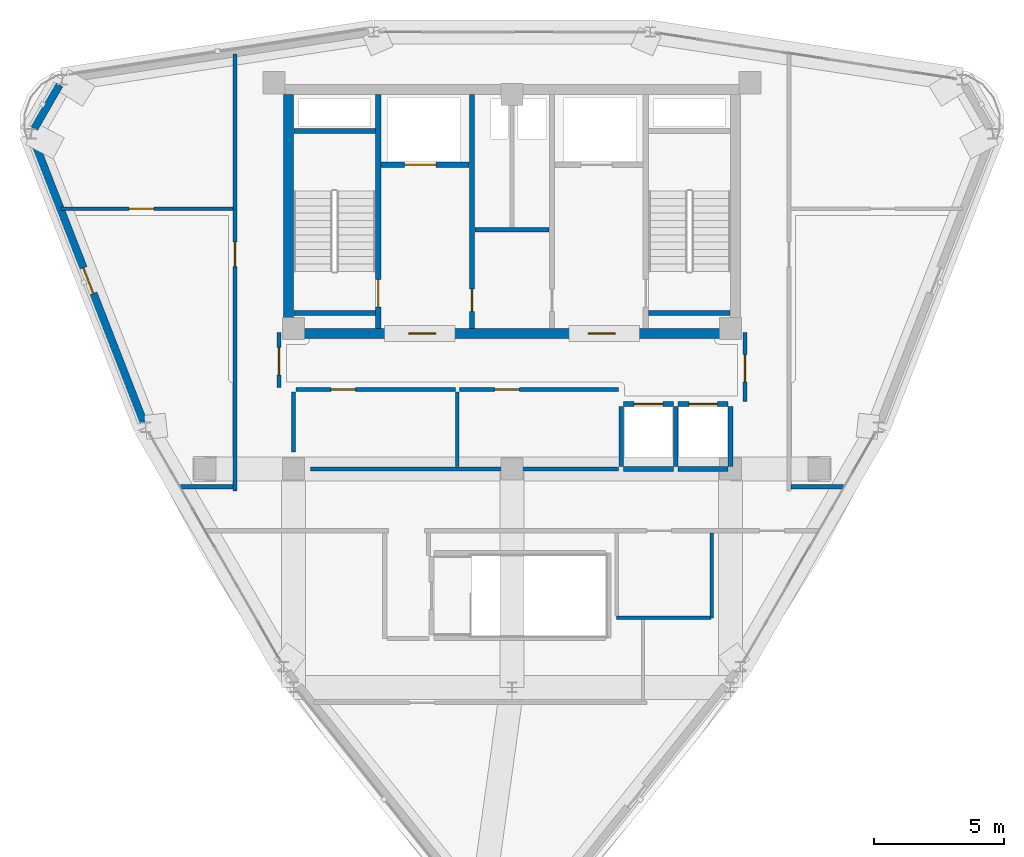
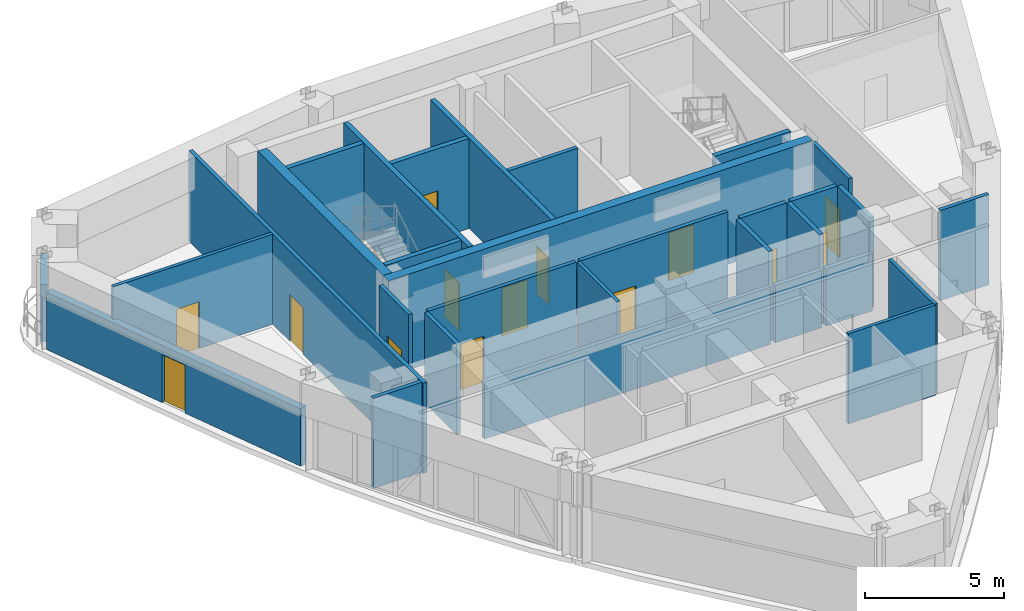
# One storey, part 13 of 16: 31 walls, 14 doors, 14 openings.
"""IFC4 building model written with IfcOpenShell, lengths in metres."""

import ifcopenshell
import ifcopenshell.guid

model = None  # the IFC model being written
_history = None  # IfcOwnerHistory: only IFC2X3 demands one
_inside = {}  # id of a spatial element -> (the spatial element, [elements in it])
_under = {}  # id of a project, library or spatial element -> (it, [spatial elements below it])
_declared = {}  # id of a project -> (the project, [libraries it declares])
_typed = {}  # id of a type object -> (the type object, [elements of that type])
_made_of = {}  # id of a material, layer set ... -> (it, [elements and type objects made of it])


def new_model(schema):
    """Start an empty IFC model of exactly this schema.

    Asked for "IFC4X3", IfcOpenShell would pick the latest addendum, in which some entities
    have other attributes; the version numbers below select the first issue.
    IFC2X3 requires an IfcOwnerHistory on every rooted entity: one is made here for all.
    """
    global model, _history
    if schema == "IFC4X3":
        model = ifcopenshell.file(schema_version=(4, 3, 0, 0))
    else:
        model = ifcopenshell.file(schema=schema)
    _inside.clear()
    _under.clear()
    _declared.clear()
    _typed.clear()
    _made_of.clear()
    _history = None
    if model.schema == "IFC2X3":
        org = make("IfcOrganization", Name="unknown")
        user = make(
            "IfcPersonAndOrganization",
            ThePerson=make("IfcPerson", FamilyName="unknown"),
            TheOrganization=org,
        )
        app = make(
            "IfcApplication",
            ApplicationDeveloper=org,
            Version="unknown",
            ApplicationFullName="unknown",
            ApplicationIdentifier="unknown",
        )
        _history = make(
            "IfcOwnerHistory",
            OwningUser=user,
            OwningApplication=app,
            ChangeAction="ADDED",
            CreationDate=0,
        )
    return model


def make(cls, **values):
    """One entity of the class cls with the attributes given. An attribute that is None is left unset."""
    return model.create_entity(
        cls, **{name: value for name, value in values.items() if value is not None}
    )


def rooted(cls, **values):
    """An entity with a GlobalId (a new one), such as an element, a storey or a relation."""
    return make(cls, GlobalId=ifcopenshell.guid.new(), OwnerHistory=_history, **values)


def si_unit(unit_type, name, prefix=None):
    """IfcSIUnit, for example si_unit("LENGTHUNIT", "METRE", prefix="MILLI")."""
    return make("IfcSIUnit", UnitType=unit_type, Prefix=prefix, Name=name)


def derived_unit(unit_type, elements):
    """IfcDerivedUnit: a product of units, each with its exponent."""
    return make(
        "IfcDerivedUnit",
        Elements=[
            make("IfcDerivedUnitElement", Unit=unit, Exponent=power)
            for unit, power in elements
        ],
        UnitType=unit_type,
    )


def assignment(units):
    """IfcUnitAssignment: the units of a project."""
    return None if units is None else make("IfcUnitAssignment", Units=units)


def point(xyz):
    """IfcCartesianPoint."""
    return None if xyz is None else make("IfcCartesianPoint", Coordinates=xyz)


def direction(xyz):
    """IfcDirection."""
    return None if xyz is None else make("IfcDirection", DirectionRatios=xyz)


def frame(location, z_axis=None, x_axis=None):
    """IfcAxis2Placement3D, a coordinate frame: its origin and axes. An axis left out is left unset."""
    return make(
        "IfcAxis2Placement3D",
        Location=point(location),
        Axis=direction(z_axis),
        RefDirection=direction(x_axis),
    )


def frame_2d(location, x_axis=None):
    """IfcAxis2Placement2D, a coordinate frame in the plane: its origin and x axis."""
    return make(
        "IfcAxis2Placement2D", Location=point(location), RefDirection=direction(x_axis)
    )


def origin():
    """The frame at (0, 0, 0) with its axes left unset."""
    return frame((0.0, 0.0, 0.0))


def place(relative_to, where):
    """IfcLocalPlacement: puts the frame where relative to a parent placement (None: the world)."""
    return make(
        "IfcLocalPlacement", PlacementRelTo=relative_to, RelativePlacement=where
    )


def context(
    kind, dimensions, precision=None, world=None, true_north=None, identifier=None
):
    """IfcGeometricRepresentationContext, for example the 3D "Model" context."""
    return make(
        "IfcGeometricRepresentationContext",
        ContextIdentifier=identifier,
        ContextType=kind,
        CoordinateSpaceDimension=dimensions,
        Precision=precision,
        WorldCoordinateSystem=world,
        TrueNorth=true_north,
    )


def subcontext(parent, identifier, kind, view, scale=None):
    """IfcGeometricRepresentationSubContext, for example "Body" below "Model"."""
    return make(
        "IfcGeometricRepresentationSubContext",
        ContextIdentifier=identifier,
        ContextType=kind,
        ParentContext=parent,
        TargetScale=scale,
        TargetView=view,
    )


def project(units=None, contexts=None):
    """IfcProject with its units and contexts."""
    return rooted(
        "IfcProject",
        Name="project",
        RepresentationContexts=contexts,
        UnitsInContext=assignment(units),
    )


def spatial(cls, under=None, at=None, **own):
    """A site, building, storey or space (cls), placed at a placement, below another one or the project."""
    s = rooted(cls, ObjectPlacement=at, **own)
    if under is not None:
        _under.setdefault(under.id(), (under, []))[1].append(s)
    return s


def profile(cls, at=None, kind="AREA", **sizes):
    """A parametric profile (cls). Its sizes go by their IFC names, for example OverallWidth=200.0."""
    return make(cls, ProfileType=kind, Position=at, **sizes)


def rectangle(**sizes):
    """IfcRectangleProfileDef."""
    return profile("IfcRectangleProfileDef", **sizes)


def extrude(swept, where, along, depth):
    """IfcExtrudedAreaSolid: the profile swept, set in the frame where, extruded along a direction by depth."""
    return make(
        "IfcExtrudedAreaSolid",
        SweptArea=swept,
        Position=where,
        ExtrudedDirection=direction(along),
        Depth=depth,
    )


def shape(context_of_items, identifier, shape_type, items):
    """IfcShapeRepresentation: the items that make up one representation, for example the "Body"."""
    return make(
        "IfcShapeRepresentation",
        ContextOfItems=context_of_items,
        RepresentationIdentifier=identifier,
        RepresentationType=shape_type,
        Items=items,
    )


def material(Name=None, Category=None):
    """IfcMaterial."""
    return make("IfcMaterial", Name=Name, Category=Category)


def layer(
    of_material, thickness, ventilated=None, Name=None, Category=None, Priority=None
):
    """IfcMaterialLayer: one layer of a wall or slab, of a material (None: an air gap)."""
    return make(
        "IfcMaterialLayer",
        Material=of_material,
        LayerThickness=thickness,
        IsVentilated=ventilated,
        Name=Name,
        Category=Category,
        Priority=Priority,
    )


def layer_set(layers, Name=None):
    """IfcMaterialLayerSet."""
    return make("IfcMaterialLayerSet", MaterialLayers=layers, LayerSetName=Name)


def made_of(thing, what):
    """Note that an element or type object is made of a material, layer set ...; save() writes the relation."""
    if what is not None:
        _made_of.setdefault(what.id(), (what, []))[1].append(thing)
    return thing


def type_object(cls, material=None, **own):
    """A type object (cls), such as IfcWallType, which elements share."""
    return made_of(rooted(cls, **own), material)


def element(
    cls,
    number,
    at=None,
    inside=None,
    cuts=None,
    type_object=None,
    material=None,
    context=None,
    identifier="Body",
    shape_type=None,
    held_by="IfcProductDefinitionShape",
    body=None,
    shapes=None,
    **own,
):
    """One element of the class cls, such as IfcWall. Its Tag is "e" and its number.

    at: its placement. inside: the storey or other place that contains it. cuts: it is an
    opening in that element (IfcRelVoidsElement). A single representation is given by context,
    identifier, shape_type and body (its items); several are given by shapes. held_by: the class
    of the entity that holds the representations. save() writes the other relations.
    """
    e = rooted(cls, Tag="e%d" % number, ObjectPlacement=at, **own)
    if body is not None:
        shapes = [shape(context, identifier, shape_type, body)]
    if shapes is not None:
        e.Representation = make(held_by, Representations=shapes)
    if inside is not None:
        _inside.setdefault(inside.id(), (inside, []))[1].append(e)
    if cuts is not None:
        rooted(
            "IfcRelVoidsElement", RelatingBuildingElement=cuts, RelatedOpeningElement=e
        )
    if type_object is not None:
        _typed.setdefault(type_object.id(), (type_object, []))[1].append(e)
    return made_of(e, material)


def fill(opening, filler):
    """IfcRelFillsElement: the door or window that sits in an opening."""
    return rooted(
        "IfcRelFillsElement",
        RelatingOpeningElement=opening,
        RelatedBuildingElement=filler,
    )


def aggregate(whole, parts):
    """IfcRelAggregates: a whole, such as a stair, and the parts it consists of."""
    return rooted("IfcRelAggregates", RelatingObject=whole, RelatedObjects=parts)


def save(model, path):
    """Write the relations noted so far, then the file.

    IfcRelAggregates (storeys below a building ...), IfcRelContainedInSpatialStructure (elements
    in a storey), IfcRelDefinesByType, IfcRelAssociatesMaterial and IfcRelDeclares: one each for
    every whole, place, type object, material and project.
    """
    for whole, parts in _under.values():
        aggregate(whole, parts)
    for where, things in _inside.values():
        rooted(
            "IfcRelContainedInSpatialStructure",
            RelatedElements=things,
            RelatingStructure=where,
        )
    for kind, things in _typed.values():
        rooted("IfcRelDefinesByType", RelatedObjects=things, RelatingType=kind)
    for what, things in _made_of.values():
        rooted("IfcRelAssociatesMaterial", RelatedObjects=things, RelatingMaterial=what)
    for by, libraries in _declared.values():
        rooted("IfcRelDeclares", RelatingContext=by, RelatedDefinitions=libraries)
    model.write(path)


model = new_model("IFC4")

# Units and contexts
model_context = context("Model", 3, precision=1e-05, world=origin(), true_north=direction((0.0, 1.0)))
body_context = subcontext(model_context, "Body", "Model", "MODEL_VIEW")
ifc_project = project(units=[si_unit("LENGTHUNIT", "METRE"), si_unit("AREAUNIT", "SQUARE_METRE"), si_unit("VOLUMEUNIT", "CUBIC_METRE"), si_unit("PLANEANGLEUNIT", "RADIAN"), si_unit("MASSUNIT", "GRAM", prefix="KILO"), derived_unit("THERMALTRANSMITTANCEUNIT", [(si_unit("POWERUNIT", "WATT"), 1), (si_unit("LENGTHUNIT", "METRE"), -2), (si_unit("THERMODYNAMICTEMPERATUREUNIT", "KELVIN"), -1)])], contexts=[model_context])

# Site, building, storey
site_placement = place(None, origin())
site = spatial("IfcSite", under=ifc_project, at=site_placement, CompositionType="ELEMENT")
building_placement = place(site_placement, origin())
building = spatial("IfcBuilding", under=site, at=building_placement, Name="Korsvarv Bourse and Concert Hall", CompositionType="ELEMENT")
storey_placement = place(building_placement, frame((0.0, 0.0, 288.0)))
storey = spatial("IfcBuildingStorey", under=building, at=storey_placement, Name="L75", CompositionType="ELEMENT", Elevation=288.0)

# Wall, openings, doors
ifc_material_1 = material(Name="Concrete C50/60", Category="concrete")
ifc_layer_1 = layer(ifc_material_1, 0.3798828125)
ifc_layer_set_1 = layer_set([ifc_layer_1], Name="Concrete C50/60")
wall_type_1 = type_object("IfcWallType", Name="WL-CORE-380", PredefinedType="SHEAR", material=ifc_layer_set_1)
wall_1_placement = place(storey_placement, frame((27.219970703125, 37.610107421875, 0.0), z_axis=(0.0, 0.0, 1.0), x_axis=(1.0, 0.0, 0.0)))
wall_1 = element("IfcWall", 1, at=wall_1_placement, inside=storey, type_object=wall_type_1, Name="L75 South Core Shear Wall", PredefinedType="SHEAR", context=body_context, shape_type="SweptSolid", body=[
    extrude(rectangle(XDim=17.56005859375, YDim=0.3798828125, at=frame_2d((8.780029296875, 0.0))), origin(), (0.0, 0.0, 1.0), 4.199951171875),
])
opening_1_placement = place(wall_1_placement, frame((4.804931640625, 0.0, 0.0)))
opening_1 = element("IfcOpeningElement", 2, at=opening_1_placement, cuts=wall_1, Name="Opening D-01", PredefinedType="OPENING", context=body_context, shape_type="SweptSolid", body=[
    extrude(rectangle(XDim=1.050048828125, YDim=2.10009765625, at=frame_2d((0.52490234375, 1.050048828125))), frame((0.0, 0.199951171875, 0.0), z_axis=(0.0, -1.0, 0.0), x_axis=(1.0, 0.0, 0.0)), (0.0, 0.0, 1.0), 0.39990234375),
])
opening_2_placement = place(wall_1_placement, frame((11.705078125, 0.0, 0.0)))
opening_2 = element("IfcOpeningElement", 3, at=opening_2_placement, cuts=wall_1, Name="Opening D-01", PredefinedType="OPENING", context=body_context, shape_type="SweptSolid", body=[
    extrude(rectangle(XDim=1.050048828125, YDim=2.10009765625, at=frame_2d((0.52490234375, 1.050048828125))), frame((0.0, 0.199951171875, 0.0), z_axis=(0.0, -1.0, 0.0), x_axis=(1.0, 0.0, 0.0)), (0.0, 0.0, 1.0), 0.39990234375),
])
ifc_material_2 = material(Name="Steel S355 fire door", Category="steel")
door_type_1 = type_object("IfcDoorType", Name="DR-FD60", OperationType="NOTDEFINED", PredefinedType="DOOR", material=ifc_material_2)
door_1_placement = place(opening_1_placement, frame((1.050048828125, 0.0, 0.0), z_axis=(0.0, 0.0, 1.0), x_axis=(-1.0, 0.0, 0.0)))
door_1 = element("IfcDoor", 4, at=door_1_placement, inside=storey, type_object=door_type_1, Name="L75 firefighting lobby fire door DR-L75-FFLW", OperationType="SINGLE_SWING_LEFT", OverallHeight=2.10009765625, OverallWidth=1.050048828125, PredefinedType="DOOR", context=body_context, shape_type="SweptSolid", body=[
    extrude(rectangle(XDim=1.050048828125, YDim=2.10009765625, at=frame_2d((0.52490234375, 1.050048828125))), frame((0.0, 0.02490234375, 0.0), z_axis=(0.0, -1.0, 0.0), x_axis=(1.0, 0.0, 0.0)), (0.0, 0.0, 1.0), 0.050048828125),
])
fill(opening_1, door_1)
door_2_placement = place(opening_2_placement, frame((1.050048828125, 0.0, 0.0), z_axis=(0.0, 0.0, 1.0), x_axis=(-1.0, 0.0, 0.0)))
door_2 = element("IfcDoor", 5, at=door_2_placement, inside=storey, type_object=door_type_1, Name="L75 firefighting lobby fire door DR-L75-FFLE", OperationType="SINGLE_SWING_RIGHT", OverallHeight=2.10009765625, OverallWidth=1.050048828125, PredefinedType="DOOR", context=body_context, shape_type="SweptSolid", body=[
    extrude(rectangle(XDim=1.050048828125, YDim=2.10009765625, at=frame_2d((0.52490234375, 1.050048828125))), frame((0.0, 0.02490234375, 0.0), z_axis=(0.0, -1.0, 0.0), x_axis=(1.0, 0.0, 0.0)), (0.0, 0.0, 1.0), 0.050048828125),
])
fill(opening_2, door_2)

# Wall
wall_2_placement = place(storey_placement, frame((27.409912109375, 37.800048828125, 0.0), z_axis=(0.0, 0.0, 1.0), x_axis=(0.0, 1.0, 0.0)))
element("IfcWall", 6, at=wall_2_placement, inside=storey, type_object=wall_type_1, Name="L75 West Core Shear Wall", PredefinedType="SHEAR", context=body_context, shape_type="SweptSolid", body=[
    extrude(rectangle(XDim=9.0, YDim=0.3798828125, at=frame_2d((4.5, 0.0))), origin(), (0.0, 0.0, 1.0), 4.199951171875),
])

# Wall, opening, door
wall_3_placement = place(storey_placement, frame((30.860107421875, 37.81005859375, 0.0), z_axis=(0.0, 0.0, 1.0), x_axis=(0.0, 1.0, 0.0)))
wall_3 = element("IfcWall", 7, at=wall_3_placement, inside=storey, type_object=wall_type_1, Name="L75 stair shaft structural wall W-L75-ST1-E", PredefinedType="SHEAR", context=body_context, shape_type="SweptSolid", body=[
    extrude(rectangle(XDim=8.97998046875, YDim=0.199951171875, at=frame_2d((4.489990234375, 0.0))), origin(), (0.0, 0.0, 1.0), 4.199951171875),
])
opening_3_placement = place(wall_3_placement, frame((0.820068359375, 0.0, 0.0)))
opening_3 = element("IfcOpeningElement", 8, at=opening_3_placement, cuts=wall_3, Name="Opening D-01", PredefinedType="OPENING", context=body_context, shape_type="SweptSolid", body=[
    extrude(rectangle(XDim=1.050048828125, YDim=2.10009765625, at=frame_2d((0.52490234375, 1.050048828125))), frame((0.0, 0.10986328125, 0.0), z_axis=(0.0, -1.0, 0.0), x_axis=(1.0, 0.0, 0.0)), (0.0, 0.0, 1.0), 0.219970703125),
])
door_3_placement = place(opening_3_placement, origin())
door_3 = element("IfcDoor", 9, at=door_3_placement, inside=storey, type_object=door_type_1, Name="L75 interior door DR-L75-ST1", OperationType="SINGLE_SWING_LEFT", OverallHeight=2.10009765625, OverallWidth=1.050048828125, PredefinedType="DOOR", context=body_context, shape_type="SweptSolid", body=[
    extrude(rectangle(XDim=1.050048828125, YDim=2.10009765625, at=frame_2d((0.52490234375, 1.050048828125))), frame((0.0, 0.02490234375, 0.0), z_axis=(0.0, -1.0, 0.0), x_axis=(1.0, 0.0, 0.0)), (0.0, 0.0, 1.0), 0.050048828125),
])
fill(opening_3, door_3)

# Walls
for number, where, z_axis, x_axis, name in (
    (10, (27.610107421875, 45.39990234375, 0.0), (0.0, 0.0, 1.0), (1.0, 0.0, 0.0), "L75 stair shaft structural wall W-L75-ST1-N"),
    (11, (27.610107421875, 38.39990234375, 0.0), (0.0, 0.0, 1.0), (1.0, 0.0, 0.0), "L75 stair shaft structural wall W-L75-ST1-S"),
    (12, (41.25, 38.39990234375, 0.0), (0.0, 0.0, 1.0), (1.0, 0.0, 0.0), "L75 stair shaft structural wall W-L75-ST2-S"),
):
    element("IfcWall", number, at=place(storey_placement, frame(where, z_axis=z_axis, x_axis=x_axis)), inside=storey, type_object=wall_type_1, Name=name, PredefinedType="SHEAR", context=body_context, shape_type="SweptSolid", body=[
        extrude(rectangle(XDim=3.139892578125, YDim=0.199951171875, at=frame_2d((1.56982421875, 0.0))), origin(), (0.0, 0.0, 1.0), 4.199951171875),
    ])
ifc_material_3 = material(Name="Precast concrete C45/55 with terracotta rainscreen", Category="concrete")
ifc_layer_2 = layer(ifc_material_3, 0.300048828125)
ifc_layer_set_2 = layer_set([ifc_layer_2], Name="Precast concrete C45/55 with terracotta rainscreen")
wall_type_2 = type_object("IfcWallType", Name="WL-EXT-TC1", PredefinedType="SOLIDWALL", material=ifc_layer_set_2)
wall_4_placement = place(storey_placement, frame((18.593505859375, 47.166015625, 0.0), z_axis=(0.0, 0.0, 1.0), x_axis=(-0.499995691662, -0.86602789119, 0.0)))
element("IfcWall", 13, at=wall_4_placement, inside=storey, type_object=wall_type_2, Name="L75 terracotta exterior wall EW-L75-B05", PredefinedType="SOLIDWALL", context=body_context, shape_type="SweptSolid", body=[
    extrude(rectangle(XDim=1.93359375, YDim=0.300048828125, at=frame_2d((0.966796875, 0.0))), origin(), (0.0, 0.0, 1.0), 2.510009765625),
])

# Wall, opening, door
wall_5_placement = place(storey_placement, frame((17.588134765625, 45.08251953125, 0.0), z_axis=(0.0, 0.0, 1.0), x_axis=(0.363219891926, -0.931703445367, 0.0)))
wall_5 = element("IfcWall", 14, at=wall_5_placement, inside=storey, type_object=wall_type_2, Name="L75 terracotta exterior wall EW-L75-B06", PredefinedType="SOLIDWALL", context=body_context, shape_type="SweptSolid", body=[
    extrude(rectangle(XDim=11.6787109375, YDim=0.300048828125, at=frame_2d((5.83935546875, 0.0))), origin(), (0.0, 0.0, 1.0), 2.510009765625),
])
opening_4_placement = place(wall_5_placement, frame((5.314453125, 0.0, 0.0)))
opening_4 = element("IfcOpeningElement", 15, at=opening_4_placement, cuts=wall_5, Name="Opening ED-02", PredefinedType="OPENING", context=body_context, shape_type="SweptSolid", body=[
    extrude(rectangle(XDim=1.050048828125, YDim=2.10009765625, at=frame_2d((0.52490234375, 1.050048828125))), frame((0.0, 0.16015625, 0.0), z_axis=(0.0, -1.0, 0.0), x_axis=(1.0, 0.0, 0.0)), (0.0, 0.0, 1.0), 0.320068359375),
])
ifc_material_4 = material(Name="Thermally broken anodised aluminium and laminated safety glass", Category="aluminium")
door_type_2 = type_object("IfcDoorType", Name="DR-EXT-TERR", OperationType="NOTDEFINED", PredefinedType="DOOR", material=ifc_material_4)
door_4_placement = place(opening_4_placement, frame((1.050048828125, 0.0, 0.0), z_axis=(0.0, 0.0, 1.0), x_axis=(-1.0, 0.0, 0.0)))
door_4 = element("IfcDoor", 16, at=door_4_placement, inside=storey, type_object=door_type_2, Name="L75 Sky Garden Terrace Access Door", OperationType="SINGLE_SWING_LEFT", OverallHeight=2.10009765625, OverallWidth=1.050048828125, PredefinedType="DOOR", context=body_context, shape_type="SweptSolid", body=[
    extrude(rectangle(XDim=1.050048828125, YDim=2.10009765625, at=frame_2d((0.52490234375, 1.050048828125))), frame((0.0, 0.02490234375, 0.0), z_axis=(0.0, -1.0, 0.0), x_axis=(1.0, 0.0, 0.0)), (0.0, 0.0, 1.0), 0.050048828125),
])
fill(opening_4, door_4)

ifc_material_5 = material(Name="Reinforced concrete blockwork C35/45 fire wall", Category="concrete")
ifc_layer_3 = layer(ifc_material_5, 0.199951171875)
ifc_layer_set_3 = layer_set([ifc_layer_3], Name="Reinforced concrete blockwork C35/45 fire wall")
wall_type_3 = type_object("IfcWallType", Name="WL-INT-EI120", PredefinedType="PARTITIONING", material=ifc_layer_set_3)
wall_6_placement = place(storey_placement, frame((30.969970703125, 44.10009765625, 0.0), z_axis=(0.0, 0.0, 1.0), x_axis=(1.0, 0.0, 0.0)))
wall_6 = element("IfcWall", 17, at=wall_6_placement, inside=storey, type_object=wall_type_3, Name="L75 interior partition wall W-L75-FF1-S", PredefinedType="PARTITIONING", context=body_context, shape_type="SweptSolid", body=[
    extrude(rectangle(XDim=3.380126953125, YDim=0.199951171875, at=frame_2d((1.68994140625, 0.0))), origin(), (0.0, 0.0, 1.0), 3.949951171875),
])
opening_5_placement = place(wall_6_placement, frame((0.89990234375, 0.0, 0.0)))
opening_5 = element("IfcOpeningElement", 18, at=opening_5_placement, cuts=wall_6, Name="Opening LD-1", PredefinedType="OPENING", context=body_context, shape_type="SweptSolid", body=[
    extrude(rectangle(XDim=1.199951171875, YDim=2.10009765625, at=frame_2d((0.60009765625, 1.050048828125))), frame((0.0, 0.10986328125, 0.0), z_axis=(0.0, -1.0, 0.0), x_axis=(1.0, 0.0, 0.0)), (0.0, 0.0, 1.0), 0.219970703125),
])
ifc_material_6 = material(Name="Stainless Steel S355 firefighting lift landing door", Category="steel")
door_type_3 = type_object("IfcDoorType", Name="DR-LIFT-FF", OperationType="DOUBLE_DOOR_SLIDING", PredefinedType="DOOR", material=ifc_material_6)
door_5_placement = place(opening_5_placement, origin())
door_5 = element("IfcDoor", 19, at=door_5_placement, inside=storey, type_object=door_type_3, Name="L75 lift sliding landing door LD-L75-FF1", OperationType="DOUBLE_DOOR_SLIDING", OverallHeight=2.10009765625, OverallWidth=1.199951171875, PredefinedType="DOOR", context=body_context, shape_type="SweptSolid", body=[
    extrude(rectangle(XDim=1.199951171875, YDim=2.10009765625, at=frame_2d((0.60009765625, 1.050048828125))), frame((0.0, 0.02490234375, 0.0), z_axis=(0.0, -1.0, 0.0), x_axis=(1.0, 0.0, 0.0)), (0.0, 0.0, 1.0), 0.050048828125),
])
fill(opening_5, door_5)

wall_7_placement = place(storey_placement, frame((34.4599609375, 37.81005859375, 0.0), z_axis=(0.0, 0.0, 1.0), x_axis=(0.0, 1.0, 0.0)))
wall_7 = element("IfcWall", 20, at=wall_7_placement, inside=storey, type_object=wall_type_3, Name="L75 interior partition wall W-L75-CSB-W", PredefinedType="PARTITIONING", context=body_context, shape_type="SweptSolid", body=[
    extrude(rectangle(XDim=8.97998046875, YDim=0.199951171875, at=frame_2d((4.489990234375, 0.0))), origin(), (0.0, 0.0, 1.0), 3.949951171875),
])
opening_6_placement = place(wall_7_placement, frame((0.64990234375, 0.0, 0.0)))
opening_6 = element("IfcOpeningElement", 21, at=opening_6_placement, cuts=wall_7, Name="Opening D-05", PredefinedType="OPENING", context=body_context, shape_type="SweptSolid", body=[
    extrude(rectangle(XDim=0.85009765625, YDim=2.050048828125, at=frame_2d((0.425048828125, 1.02490234375))), frame((0.0, 0.10986328125, 0.0), z_axis=(0.0, -1.0, 0.0), x_axis=(1.0, 0.0, 0.0)), (0.0, 0.0, 1.0), 0.219970703125),
])
door_type_4 = type_object("IfcDoorType", Name="DR-FD60-850X2050", OperationType="NOTDEFINED", PredefinedType="DOOR", material=ifc_material_2)
door_6_placement = place(opening_6_placement, frame((0.85009765625, 0.0, 0.0), z_axis=(0.0, 0.0, 1.0), x_axis=(-1.0, 0.0, 0.0)))
door_6 = element("IfcDoor", 22, at=door_6_placement, inside=storey, type_object=door_type_4, Name="L75 interior door DR-L75-CSB1", OperationType="SINGLE_SWING_LEFT", OverallHeight=2.050048828125, OverallWidth=0.85009765625, PredefinedType="DOOR", context=body_context, shape_type="SweptSolid", body=[
    extrude(rectangle(XDim=0.85009765625, YDim=2.050048828125, at=frame_2d((0.425048828125, 1.02490234375))), frame((0.0, 0.02490234375, 0.0), z_axis=(0.0, -1.0, 0.0), x_axis=(1.0, 0.0, 0.0)), (0.0, 0.0, 1.0), 0.050048828125),
])
fill(opening_6, door_6)

# Walls
ifc_material_7 = material(Name="Double-stud fire-rated acoustic partition", Category="gypsum")
ifc_layer_4 = layer(ifc_material_7, 0.159912109375)
ifc_layer_set_4 = layer_set([ifc_layer_4], Name="Double-stud fire-rated acoustic partition")
wall_type_4 = type_object("IfcWallType", Name="WL-INT-EI60", PredefinedType="PARTITIONING", material=ifc_layer_set_4)
wall_8_placement = place(storey_placement, frame((34.570068359375, 41.60009765625, 0.0), z_axis=(0.0, 0.0, 1.0), x_axis=(1.0, 0.0, 0.0)))
element("IfcWall", 23, at=wall_8_placement, inside=storey, type_object=wall_type_4, Name="L75 interior partition wall W-L75-K1", PredefinedType="PARTITIONING", context=body_context, shape_type="SweptSolid", body=[
    extrude(rectangle(XDim=2.85986328125, YDim=0.159912109375, at=frame_2d((1.429931640625, 0.0))), origin(), (0.0, 0.0, 1.0), 3.949951171875),
])
wall_9_placement = place(storey_placement, frame((28.25, 32.39990234375, 0.0), z_axis=(0.0, 0.0, 1.0), x_axis=(1.0, 0.0, 0.0)))
element("IfcWall", 24, at=wall_9_placement, inside=storey, type_object=wall_type_4, Name="L75 interior partition wall W-L75-FRD-S", PredefinedType="PARTITIONING", context=body_context, shape_type="SweptSolid", body=[
    extrude(rectangle(XDim=11.85009765625, YDim=0.159912109375, at=frame_2d((5.925048828125, 0.0))), origin(), (0.0, 0.0, 1.0), 2.510009765625),
])
wall_10_placement = place(storey_placement, frame((27.60009765625, 33.050048828125, 0.0), z_axis=(0.0, 0.0, 1.0), x_axis=(0.0, 1.0, 0.0)))
element("IfcWall", 25, at=wall_10_placement, inside=storey, type_object=wall_type_4, Name="L75 interior partition wall W-L75-FRD-W", PredefinedType="PARTITIONING", context=body_context, shape_type="SweptSolid", body=[
    extrude(rectangle(XDim=2.31005859375, YDim=0.159912109375, at=frame_2d((1.155029296875, 0.0))), origin(), (0.0, 0.0, 1.0), 3.949951171875),
])

# Wall, opening, door
wall_11_placement = place(storey_placement, frame((27.68994140625, 35.449951171875, 0.0), z_axis=(0.0, 0.0, 1.0), x_axis=(1.0, 0.0, 0.0)))
wall_11 = element("IfcWall", 26, at=wall_11_placement, inside=storey, type_object=wall_type_4, Name="L75 interior partition wall W-L75-FRD-N1", PredefinedType="PARTITIONING", context=body_context, shape_type="SweptSolid", body=[
    extrude(rectangle(XDim=6.130126953125, YDim=0.159912109375, at=frame_2d((3.06494140625, 0.0))), origin(), (0.0, 0.0, 1.0), 3.949951171875),
])
opening_7_placement = place(wall_11_placement, frame((1.35009765625, 0.0, 0.0)))
opening_7 = element("IfcOpeningElement", 27, at=opening_7_placement, cuts=wall_11, Name="Opening D-03", PredefinedType="OPENING", context=body_context, shape_type="SweptSolid", body=[
    extrude(rectangle(XDim=0.949951171875, YDim=2.050048828125, at=frame_2d((0.47509765625, 1.02490234375))), frame((0.0, 0.08984375, 0.0), z_axis=(0.0, -1.0, 0.0), x_axis=(1.0, 0.0, 0.0)), (0.0, 0.0, 1.0), 0.179931640625),
])
ifc_material_8 = material(Name="Nordic oak acoustic office door", Category="wood")
door_type_5 = type_object("IfcDoorType", Name="DR-INT-1", OperationType="NOTDEFINED", PredefinedType="DOOR", material=ifc_material_8)
door_7_placement = place(opening_7_placement, origin())
door_7 = element("IfcDoor", 28, at=door_7_placement, inside=storey, type_object=door_type_5, Name="L75 interior door DR-L75-FRDN1", OperationType="SINGLE_SWING_LEFT", OverallHeight=2.050048828125, OverallWidth=0.949951171875, PredefinedType="DOOR", context=body_context, shape_type="SweptSolid", body=[
    extrude(rectangle(XDim=0.949951171875, YDim=2.050048828125, at=frame_2d((0.47509765625, 1.02490234375))), frame((0.0, 0.02490234375, 0.0), z_axis=(0.0, -1.0, 0.0), x_axis=(1.0, 0.0, 0.0)), (0.0, 0.0, 1.0), 0.050048828125),
])
fill(opening_7, door_7)

wall_12_placement = place(storey_placement, frame((33.97998046875, 35.449951171875, 0.0), z_axis=(0.0, 0.0, 1.0), x_axis=(1.0, 0.0, 0.0)))
wall_12 = element("IfcWall", 29, at=wall_12_placement, inside=storey, type_object=wall_type_4, Name="L75 interior partition wall W-L75-FRD-N2", PredefinedType="PARTITIONING", context=body_context, shape_type="SweptSolid", body=[
    extrude(rectangle(XDim=6.1201171875, YDim=0.159912109375, at=frame_2d((3.06005859375, 0.0))), origin(), (0.0, 0.0, 1.0), 3.949951171875),
])
opening_8_placement = place(wall_12_placement, frame((1.35009765625, 0.0, 0.0)))
opening_8 = element("IfcOpeningElement", 30, at=opening_8_placement, cuts=wall_12, Name="Opening D-03", PredefinedType="OPENING", context=body_context, shape_type="SweptSolid", body=[
    extrude(rectangle(XDim=0.949951171875, YDim=2.050048828125, at=frame_2d((0.47509765625, 1.02490234375))), frame((0.0, 0.08984375, 0.0), z_axis=(0.0, -1.0, 0.0), x_axis=(1.0, 0.0, 0.0)), (0.0, 0.0, 1.0), 0.179931640625),
])
door_8_placement = place(opening_8_placement, origin())
door_8 = element("IfcDoor", 31, at=door_8_placement, inside=storey, type_object=door_type_5, Name="L75 interior door DR-L75-FRDN2", OperationType="SINGLE_SWING_RIGHT", OverallHeight=2.050048828125, OverallWidth=0.949951171875, PredefinedType="DOOR", context=body_context, shape_type="SweptSolid", body=[
    extrude(rectangle(XDim=0.949951171875, YDim=2.050048828125, at=frame_2d((0.47509765625, 1.02490234375))), frame((0.0, 0.02490234375, 0.0), z_axis=(0.0, -1.0, 0.0), x_axis=(1.0, 0.0, 0.0)), (0.0, 0.0, 1.0), 0.050048828125),
])
fill(opening_8, door_8)

wall_13_placement = place(storey_placement, frame((27.0400390625, 35.5400390625, 0.0), z_axis=(0.0, 0.0, 1.0), x_axis=(0.0, 1.0, 0.0)))
wall_13 = element("IfcWall", 32, at=wall_13_placement, inside=storey, type_object=wall_type_4, Name="L75 interior partition wall W-L75-LOB-WL", PredefinedType="PARTITIONING", context=body_context, shape_type="SweptSolid", body=[
    extrude(rectangle(XDim=2.10986328125, YDim=0.159912109375, at=frame_2d((1.054931640625, 0.0))), origin(), (0.0, 0.0, 1.0), 3.949951171875),
])
opening_9_placement = place(wall_13_placement, frame((0.47998046875, 0.0, 0.0)))
opening_9 = element("IfcOpeningElement", 33, at=opening_9_placement, cuts=wall_13, Name="Opening D-01", PredefinedType="OPENING", context=body_context, shape_type="SweptSolid", body=[
    extrude(rectangle(XDim=1.050048828125, YDim=2.10009765625, at=frame_2d((0.52490234375, 1.050048828125))), frame((0.0, 0.08984375, 0.0), z_axis=(0.0, -1.0, 0.0), x_axis=(1.0, 0.0, 0.0)), (0.0, 0.0, 1.0), 0.179931640625),
])
door_9_placement = place(opening_9_placement, frame((1.050048828125, 0.0, 0.0), z_axis=(0.0, 0.0, 1.0), x_axis=(-1.0, 0.0, 0.0)))
door_9 = element("IfcDoor", 34, at=door_9_placement, inside=storey, type_object=door_type_1, Name="L75 interior door DR-L75-LOBW", OperationType="SINGLE_SWING_LEFT", OverallHeight=2.10009765625, OverallWidth=1.050048828125, PredefinedType="DOOR", context=body_context, shape_type="SweptSolid", body=[
    extrude(rectangle(XDim=1.050048828125, YDim=2.10009765625, at=frame_2d((0.52490234375, 1.050048828125))), frame((0.0, 0.02490234375, 0.0), z_axis=(0.0, -1.0, 0.0), x_axis=(1.0, 0.0, 0.0)), (0.0, 0.0, 1.0), 0.050048828125),
])
fill(opening_9, door_9)

wall_14_placement = place(storey_placement, frame((44.9599609375, 35.0, 0.0), z_axis=(0.0, 0.0, 1.0), x_axis=(0.0, 1.0, 0.0)))
wall_14 = element("IfcWall", 35, at=wall_14_placement, inside=storey, type_object=wall_type_4, Name="L75 interior partition wall W-L75-LOB-E", PredefinedType="PARTITIONING", context=body_context, shape_type="SweptSolid", body=[
    extrude(rectangle(XDim=2.64990234375, YDim=0.159912109375, at=frame_2d((1.324951171875, 0.0))), origin(), (0.0, 0.0, 1.0), 3.949951171875),
])
opening_10_placement = place(wall_14_placement, frame((0.75, 0.0, 0.0)))
opening_10 = element("IfcOpeningElement", 36, at=opening_10_placement, cuts=wall_14, Name="Opening D-01", PredefinedType="OPENING", context=body_context, shape_type="SweptSolid", body=[
    extrude(rectangle(XDim=1.050048828125, YDim=2.10009765625, at=frame_2d((0.52490234375, 1.050048828125))), frame((0.0, 0.08984375, 0.0), z_axis=(0.0, -1.0, 0.0), x_axis=(1.0, 0.0, 0.0)), (0.0, 0.0, 1.0), 0.179931640625),
])
door_10_placement = place(opening_10_placement, origin())
door_10 = element("IfcDoor", 37, at=door_10_placement, inside=storey, type_object=door_type_1, Name="L75 interior door DR-L75-LOBE", OperationType="SINGLE_SWING_RIGHT", OverallHeight=2.10009765625, OverallWidth=1.050048828125, PredefinedType="DOOR", context=body_context, shape_type="SweptSolid", body=[
    extrude(rectangle(XDim=1.050048828125, YDim=2.10009765625, at=frame_2d((0.52490234375, 1.050048828125))), frame((0.0, 0.02490234375, 0.0), z_axis=(0.0, -1.0, 0.0), x_axis=(1.0, 0.0, 0.0)), (0.0, 0.0, 1.0), 0.050048828125),
])
fill(opening_10, door_10)

wall_15_placement = place(storey_placement, frame((25.344970703125, 31.56005859375, 0.0), z_axis=(0.0, 0.0, 1.0), x_axis=(0.0, 1.0, 0.0)))
wall_15 = element("IfcWall", 38, at=wall_15_placement, inside=storey, type_object=wall_type_4, Name="L75 interior partition wall W-L75-LKCOR-02", PredefinedType="PARTITIONING", context=body_context, shape_type="SweptSolid", body=[
    extrude(rectangle(XDim=16.805908203125, YDim=0.159912109375, at=frame_2d((8.40283203125, 0.0))), origin(), (0.0, 0.0, 1.0), 3.949951171875),
])
opening_11_placement = place(wall_15_placement, frame((8.616455078125, 0.0, 0.0)))
opening_11 = element("IfcOpeningElement", 39, at=opening_11_placement, cuts=wall_15, Name="Opening D-02", PredefinedType="OPENING", context=body_context, shape_type="SweptSolid", body=[
    extrude(rectangle(XDim=0.949951171875, YDim=2.050048828125, at=frame_2d((0.47509765625, 1.02490234375))), frame((0.0, 0.08984375, 0.0), z_axis=(0.0, -1.0, 0.0), x_axis=(1.0, 0.0, 0.0)), (0.0, 0.0, 1.0), 0.179931640625),
])
ifc_material_9 = material(Name="Timber and steel acoustic fire door", Category="wood")
door_type_6 = type_object("IfcDoorType", Name="DR-FD30", OperationType="NOTDEFINED", PredefinedType="DOOR", material=ifc_material_9)
door_11_placement = place(opening_11_placement, origin())
door_11 = element("IfcDoor", 40, at=door_11_placement, inside=storey, type_object=door_type_6, Name="L75 interior door DR-L75-LKCOR-LKW15", OperationType="SINGLE_SWING_LEFT", OverallHeight=2.050048828125, OverallWidth=0.949951171875, PredefinedType="DOOR", context=body_context, shape_type="SweptSolid", body=[
    extrude(rectangle(XDim=0.949951171875, YDim=2.050048828125, at=frame_2d((0.47509765625, 1.02490234375))), frame((0.0, 0.02490234375, 0.0), z_axis=(0.0, -1.0, 0.0), x_axis=(1.0, 0.0, 0.0)), (0.0, 0.0, 1.0), 0.050048828125),
])
fill(opening_11, door_11)

# Walls
for number, where, z_axis, x_axis, name in (
    (41, (46.737060546875, 31.715087890625, 0.0), (0.0, 0.0, 1.0), (1.0, 0.0, 0.0), "L75 interior partition wall W-L75-LKCOR-06"),
    (42, (23.247314453125, 31.715087890625, 0.0), (0.0, 0.0, 1.0), (1.0, 0.0, 0.0), "L75 interior partition wall W-L75-LKCOR-07"),
):
    element("IfcWall", number, at=place(storey_placement, frame(where, z_axis=z_axis, x_axis=x_axis)), inside=storey, type_object=wall_type_4, Name=name, PredefinedType="PARTITIONING", context=body_context, shape_type="SweptSolid", body=[
        extrude(rectangle(XDim=2.015625, YDim=0.159912109375, at=frame_2d((1.0078125, 0.0))), origin(), (0.0, 0.0, 1.0), 3.949951171875),
    ])

# Wall, opening, door
ifc_material_10 = material(Name="Gypsum-clad autoclaved concrete shaft wall C30/37", Category="concrete")
ifc_layer_5 = layer(ifc_material_10, 0.179931640625)
ifc_layer_set_5 = layer_set([ifc_layer_5], Name="Gypsum-clad autoclaved concrete shaft wall C30/37")
wall_type_5 = type_object("IfcWallType", Name="WL-INT-EI90", PredefinedType="PARTITIONING", material=ifc_layer_set_5)
wall_16_placement = place(storey_placement, frame((40.2900390625, 34.89990234375, 0.0), z_axis=(0.0, 0.0, 1.0), x_axis=(1.0, 0.0, 0.0)))
wall_16 = element("IfcWall", 43, at=wall_16_placement, inside=storey, type_object=wall_type_5, Name="L75 interior partition wall W-L75-SHFN-PO1", PredefinedType="PARTITIONING", context=body_context, shape_type="SweptSolid", body=[
    extrude(rectangle(XDim=1.919921875, YDim=0.179931640625, at=frame_2d((0.9599609375, 0.0))), origin(), (0.0, 0.0, 1.0), 3.949951171875),
])
opening_12_placement = place(wall_16_placement, frame((0.409912109375, 0.0, 0.0)))
opening_12 = element("IfcOpeningElement", 44, at=opening_12_placement, cuts=wall_16, Name="Opening LD-2", PredefinedType="OPENING", context=body_context, shape_type="SweptSolid", body=[
    extrude(rectangle(XDim=1.10009765625, YDim=2.10009765625, at=frame_2d((0.550048828125, 1.050048828125))), frame((0.0, 0.10009765625, 0.0), z_axis=(0.0, -1.0, 0.0), x_axis=(1.0, 0.0, 0.0)), (0.0, 0.0, 1.0), 0.199951171875),
])
ifc_material_11 = material(Name="Brushed stainless Steel S355 lift landing door", Category="steel")
door_type_7 = type_object("IfcDoorType", Name="DR-LIFT-P", OperationType="DOUBLE_DOOR_SLIDING", PredefinedType="DOOR", material=ifc_material_11)
door_12_placement = place(opening_12_placement, origin())
door_12 = element("IfcDoor", 45, at=door_12_placement, inside=storey, type_object=door_type_7, Name="L75 lift sliding landing door LD-L75-PO1", OperationType="DOUBLE_DOOR_SLIDING", OverallHeight=2.10009765625, OverallWidth=1.10009765625, PredefinedType="DOOR", context=body_context, shape_type="SweptSolid", body=[
    extrude(rectangle(XDim=1.10009765625, YDim=2.10009765625, at=frame_2d((0.550048828125, 1.050048828125))), frame((0.0, 0.02490234375, 0.0), z_axis=(0.0, -1.0, 0.0), x_axis=(1.0, 0.0, 0.0)), (0.0, 0.0, 1.0), 0.050048828125),
])
fill(opening_12, door_12)

# Walls
wall_17_placement = place(storey_placement, frame((40.2900390625, 32.39990234375, 0.0), z_axis=(0.0, 0.0, 1.0), x_axis=(1.0, 0.0, 0.0)))
element("IfcWall", 46, at=wall_17_placement, inside=storey, type_object=wall_type_5, Name="L75 interior partition wall W-L75-SHFS-PO1", PredefinedType="PARTITIONING", context=body_context, shape_type="SweptSolid", body=[
    extrude(rectangle(XDim=1.919921875, YDim=0.179931640625, at=frame_2d((0.9599609375, 0.0))), origin(), (0.0, 0.0, 1.0), 2.510009765625),
])
wall_18_placement = place(storey_placement, frame((40.199951171875, 32.489990234375, 0.0), z_axis=(0.0, 0.0, 1.0), x_axis=(0.0, 1.0, 0.0)))
element("IfcWall", 47, at=wall_18_placement, inside=storey, type_object=wall_type_5, Name="L75 interior partition wall W-L75-SHFW-PO1", PredefinedType="PARTITIONING", context=body_context, shape_type="SweptSolid", body=[
    extrude(rectangle(XDim=2.320068359375, YDim=0.179931640625, at=frame_2d((1.16015625, 0.0))), origin(), (0.0, 0.0, 1.0), 3.949951171875),
])

# Wall, opening, door
wall_19_placement = place(storey_placement, frame((42.389892578125, 34.89990234375, 0.0), z_axis=(0.0, 0.0, 1.0), x_axis=(1.0, 0.0, 0.0)))
wall_19 = element("IfcWall", 48, at=wall_19_placement, inside=storey, type_object=wall_type_5, Name="L75 interior partition wall W-L75-SHFN-PO2", PredefinedType="PARTITIONING", context=body_context, shape_type="SweptSolid", body=[
    extrude(rectangle(XDim=1.920166015625, YDim=0.179931640625, at=frame_2d((0.9599609375, 0.0))), origin(), (0.0, 0.0, 1.0), 3.949951171875),
])
opening_13_placement = place(wall_19_placement, frame((0.409912109375, 0.0, 0.0)))
opening_13 = element("IfcOpeningElement", 49, at=opening_13_placement, cuts=wall_19, Name="Opening LD-2", PredefinedType="OPENING", context=body_context, shape_type="SweptSolid", body=[
    extrude(rectangle(XDim=1.10009765625, YDim=2.10009765625, at=frame_2d((0.550048828125, 1.050048828125))), frame((0.0, 0.10009765625, 0.0), z_axis=(0.0, -1.0, 0.0), x_axis=(1.0, 0.0, 0.0)), (0.0, 0.0, 1.0), 0.199951171875),
])
door_13_placement = place(opening_13_placement, origin())
door_13 = element("IfcDoor", 50, at=door_13_placement, inside=storey, type_object=door_type_7, Name="L75 lift sliding landing door LD-L75-PO2", OperationType="DOUBLE_DOOR_SLIDING", OverallHeight=2.10009765625, OverallWidth=1.10009765625, PredefinedType="DOOR", context=body_context, shape_type="SweptSolid", body=[
    extrude(rectangle(XDim=1.10009765625, YDim=2.10009765625, at=frame_2d((0.550048828125, 1.050048828125))), frame((0.0, 0.02490234375, 0.0), z_axis=(0.0, -1.0, 0.0), x_axis=(1.0, 0.0, 0.0)), (0.0, 0.0, 1.0), 0.050048828125),
])
fill(opening_13, door_13)

# Walls
wall_20_placement = place(storey_placement, frame((42.389892578125, 32.39990234375, 0.0), z_axis=(0.0, 0.0, 1.0), x_axis=(1.0, 0.0, 0.0)))
element("IfcWall", 51, at=wall_20_placement, inside=storey, type_object=wall_type_5, Name="L75 interior partition wall W-L75-SHFS-PO2", PredefinedType="PARTITIONING", context=body_context, shape_type="SweptSolid", body=[
    extrude(rectangle(XDim=1.920166015625, YDim=0.179931640625, at=frame_2d((0.9599609375, 0.0))), origin(), (0.0, 0.0, 1.0), 2.510009765625),
])
for number, where, z_axis, x_axis, name in (
    (52, (42.300048828125, 32.489990234375, 0.0), (0.0, 0.0, 1.0), (0.0, 1.0, 0.0), "L75 interior partition wall W-L75-SHFW-PO2"),
    (53, (44.39990234375, 32.489990234375, 0.0), (0.0, 0.0, 1.0), (0.0, 1.0, 0.0), "L75 interior partition wall W-L75-SHFE-END"),
):
    element("IfcWall", number, at=place(storey_placement, frame(where, z_axis=z_axis, x_axis=x_axis)), inside=storey, type_object=wall_type_5, Name=name, PredefinedType="PARTITIONING", context=body_context, shape_type="SweptSolid", body=[
        extrude(rectangle(XDim=2.320068359375, YDim=0.179931640625, at=frame_2d((1.16015625, 0.0))), origin(), (0.0, 0.0, 1.0), 3.949951171875),
    ])
ifc_material_12 = material(Name="Insulated steel-stud office acoustic partition", Category="gypsum")
ifc_layer_6 = layer(ifc_material_12, 0.139892578125)
ifc_layer_set_6 = layer_set([ifc_layer_6], Name="Insulated steel-stud office acoustic partition")
wall_type_6 = type_object("IfcWallType", Name="WL-INT-P1", PredefinedType="PARTITIONING", material=ifc_layer_set_6)
wall_21_placement = place(storey_placement, frame((33.89990234375, 32.489990234375, 0.0), z_axis=(0.0, 0.0, 1.0), x_axis=(0.0, 1.0, 0.0)))
element("IfcWall", 54, at=wall_21_placement, inside=storey, type_object=wall_type_6, Name="L75 interior partition wall W-L75-FRD-V", PredefinedType="PARTITIONING", context=body_context, shape_type="SweptSolid", body=[
    extrude(rectangle(XDim=2.8701171875, YDim=0.139892578125, at=frame_2d((1.43505859375, 0.0))), origin(), (0.0, 0.0, 1.0), 3.949951171875),
])

# Wall, opening, door
wall_22_placement = place(storey_placement, frame((18.652099609375, 42.405029296875, 0.0), z_axis=(0.0, 0.0, 1.0), x_axis=(1.0, 0.0, 0.0)))
wall_22 = element("IfcWall", 55, at=wall_22_placement, inside=storey, type_object=wall_type_6, Name="L75 interior partition wall W-L75-LKCOR-12", PredefinedType="PARTITIONING", context=body_context, shape_type="SweptSolid", body=[
    extrude(rectangle(XDim=6.61083984375, YDim=0.139892578125, at=frame_2d((3.305419921875, 0.0))), origin(), (0.0, 0.0, 1.0), 3.949951171875),
])
opening_14_placement = place(wall_22_placement, frame((2.621337890625, 0.0, 0.0)))
opening_14 = element("IfcOpeningElement", 56, at=opening_14_placement, cuts=wall_22, Name="Opening D-03", PredefinedType="OPENING", context=body_context, shape_type="SweptSolid", body=[
    extrude(rectangle(XDim=0.949951171875, YDim=2.050048828125, at=frame_2d((0.47509765625, 1.02490234375))), frame((0.0, 0.080078125, 0.0), z_axis=(0.0, -1.0, 0.0), x_axis=(1.0, 0.0, 0.0)), (0.0, 0.0, 1.0), 0.159912109375),
])
door_14_placement = place(opening_14_placement, origin())
door_14 = element("IfcDoor", 57, at=door_14_placement, inside=storey, type_object=door_type_5, Name="L75 interior door DR-L75-LKCOR-NWM26", OperationType="SINGLE_SWING_RIGHT", OverallHeight=2.050048828125, OverallWidth=0.949951171875, PredefinedType="DOOR", context=body_context, shape_type="SweptSolid", body=[
    extrude(rectangle(XDim=0.949951171875, YDim=2.050048828125, at=frame_2d((0.47509765625, 1.02490234375))), frame((0.0, 0.02490234375, 0.0), z_axis=(0.0, -1.0, 0.0), x_axis=(1.0, 0.0, 0.0)), (0.0, 0.0, 1.0), 0.050048828125),
])
fill(opening_14, door_14)

# Walls
wall_23_placement = place(storey_placement, frame((40.02001953125, 26.675048828125, 0.0), z_axis=(0.0, 0.0, 1.0), x_axis=(1.0, 0.0, 0.0)))
element("IfcWall", 58, at=wall_23_placement, inside=storey, type_object=wall_type_6, Name="L75 interior partition wall W-L75-LKCOR-13", PredefinedType="PARTITIONING", context=body_context, shape_type="SweptSolid", body=[
    extrude(rectangle(XDim=3.639892578125, YDim=0.139892578125, at=frame_2d((1.81982421875, 0.0))), origin(), (0.0, 0.0, 1.0), 3.949951171875),
])
wall_24_placement = place(storey_placement, frame((43.675048828125, 26.669921875, 0.0), z_axis=(0.0, 0.0, 1.0), x_axis=(0.0, 1.0, 0.0)))
element("IfcWall", 59, at=wall_24_placement, inside=storey, type_object=wall_type_6, Name="L75 interior partition wall W-L75-LKCOR-14", PredefinedType="PARTITIONING", context=body_context, shape_type="SweptSolid", body=[
    extrude(rectangle(XDim=3.273193359375, YDim=0.139892578125, at=frame_2d((1.63671875, 0.0))), origin(), (0.0, 0.0, 1.0), 3.949951171875),
])

save(model, "model.ifc")
